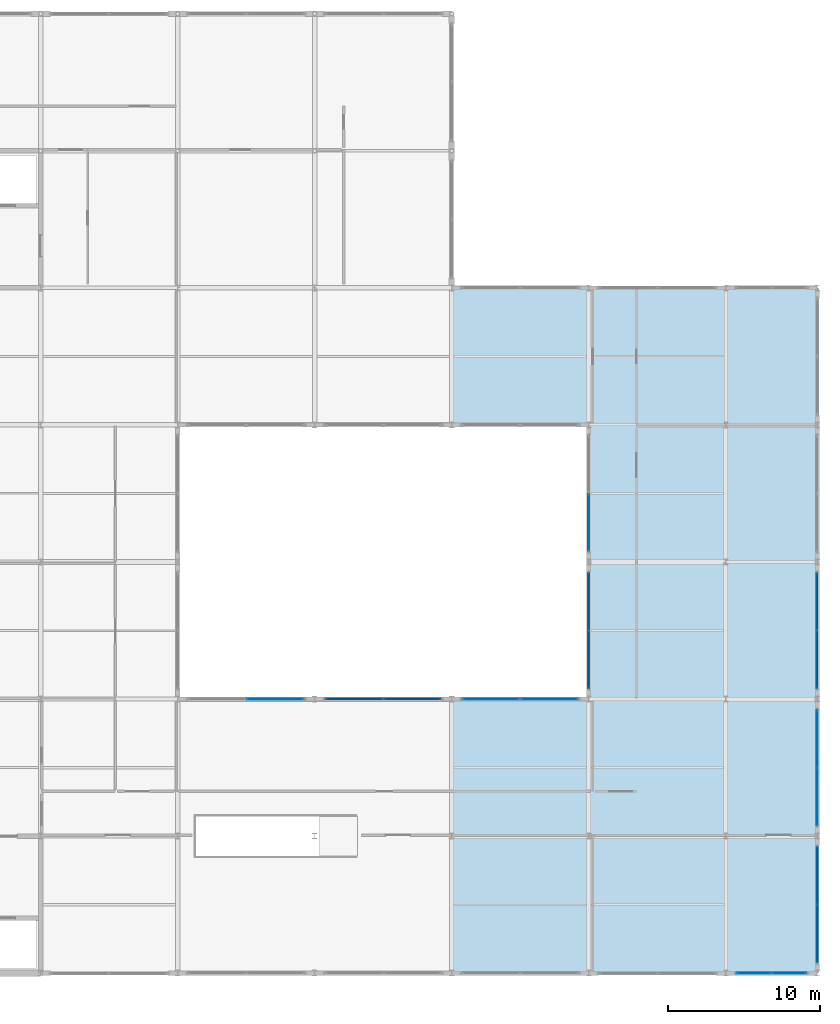
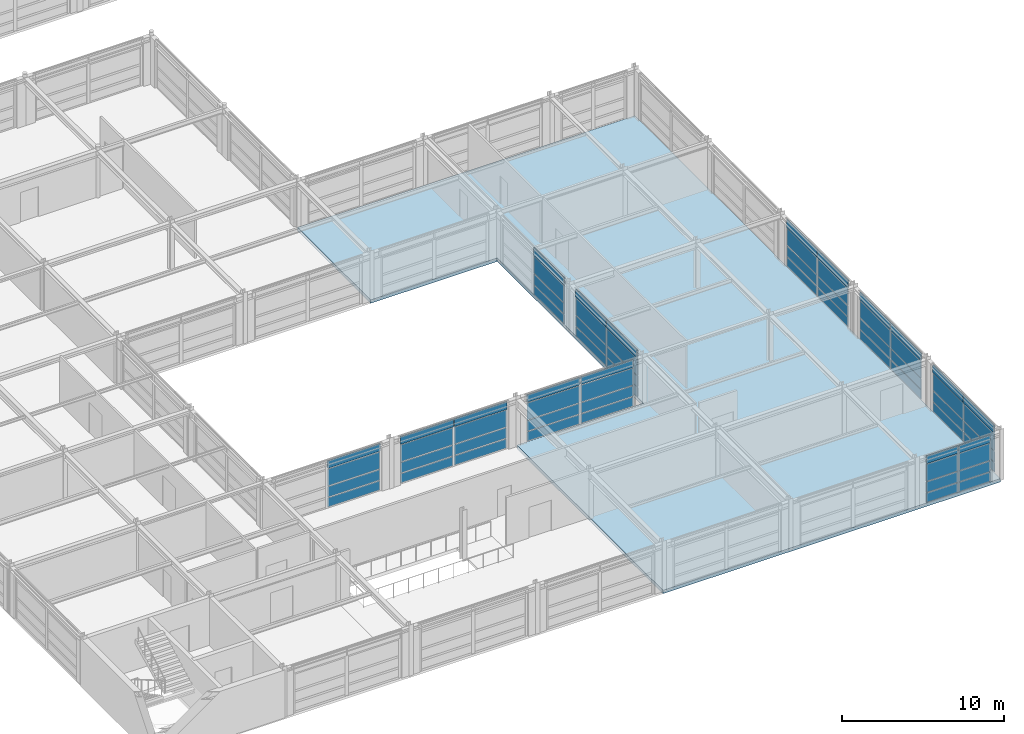
# One storey, part 58 of 79: 64 plates, 1 slab, 9 elements without a shape of their own.
"""IFC4 building model written with IfcOpenShell, lengths in metres."""

from ifc_helpers import new_model, si_unit, direction, frame, origin, origin_2d, place, context, subcontext, project, spatial, polyline, rectangle, outline, extrude, material, layer, layer_set, type_object, element, aggregate, save


model = new_model("IFC4")

# Units and contexts
model_context = context("Model", 3, precision=1e-05, world=origin(), true_north=direction((0.0, 1.0)))
body_context = subcontext(model_context, "Body", "Model", "MODEL_VIEW")
ifc_project = project(units=[si_unit("LENGTHUNIT", "METRE"), si_unit("AREAUNIT", "SQUARE_METRE"), si_unit("VOLUMEUNIT", "CUBIC_METRE"), si_unit("PLANEANGLEUNIT", "RADIAN"), si_unit("MASSUNIT", "GRAM", prefix="KILO")], contexts=[model_context])

# Site, building, storey
site_placement = place(None, origin())
site = spatial("IfcSite", under=ifc_project, at=site_placement, CompositionType="ELEMENT")
building_placement = place(site_placement, origin())
building = spatial("IfcBuilding", under=site, at=building_placement, Name="Palais des Congres Ocreval", CompositionType="ELEMENT")
storey_placement = place(building_placement, frame((0.0, 0.0, 4.320068359375)))
storey = spatial("IfcBuildingStorey", under=building, at=storey_placement, Name="L01", CompositionType="ELEMENT", Elevation=4.320068359375)

# Curtain wall, plates
ifc_material_1 = material(Name="Anodized bronze aluminium and low-E glass", Category="glass")
curtain_wall_type_1 = type_object("IfcCurtainWallType", Name="Unitised Curtain Wall 7900x3660", PredefinedType="USERDEFINED", material=ifc_material_1)
curtain_wall_1_placement = place(storey_placement, origin())
curtain_wall_1 = element("IfcCurtainWall", 1, at=curtain_wall_1_placement, inside=storey, type_object=curtain_wall_type_1, Name="Unitised Curtain Wall CW02 L01", ObjectType="UNITISED CURTAIN WALL", PredefinedType="USERDEFINED")
ifc_material_2 = material(Name="Acoustic triple glazing", Category="glass")
ifc_layer_1 = layer(ifc_material_2, 0.0439453125)
ifc_layer_set_1 = layer_set([ifc_layer_1], Name="Acoustic Laminated Glazing Panel 44 (Acoustic triple glazing)")
plate_type_1 = type_object("IfcPlateType", Name="Acoustic Laminated Glazing Panel 44", PredefinedType="CURTAIN_PANEL", material=ifc_layer_set_1)
plate_1_placement = place(storey_placement, frame((168.0, 6.40625, 0.06005859375), z_axis=(0.0, 0.0, 1.0), x_axis=(0.0, -1.0, 0.0)))
plate_1 = element("IfcPlate", 2, at=plate_1_placement, type_object=plate_type_1, Name="Vision Glazing Panel VP02", PredefinedType="CURTAIN_PANEL", context=body_context, shape_type="SweptSolid", body=[
    extrude(rectangle(XDim=3.737548828125, YDim=0.0439453125, at=origin_2d()), origin(), (0.0, 0.0, 1.0), 0.68994140625),
])
plate_2_placement = place(storey_placement, frame((168.0, 6.40625, 0.81005859375), z_axis=(0.0, 0.0, 1.0), x_axis=(0.0, -1.0, 0.0)))
plate_2 = element("IfcPlate", 3, at=plate_2_placement, type_object=plate_type_1, Name="Vision Glazing Panel VP02", PredefinedType="CURTAIN_PANEL", context=body_context, shape_type="SweptSolid", body=[
    extrude(rectangle(XDim=3.737548828125, YDim=0.0439453125, at=origin_2d()), origin(), (0.0, 0.0, 1.0), 0.782470703125),
])
plate_3_placement = place(storey_placement, frame((168.0, 6.40625, 1.65234375), z_axis=(0.0, 0.0, 1.0), x_axis=(0.0, -1.0, 0.0)))
plate_3 = element("IfcPlate", 4, at=plate_3_placement, type_object=plate_type_1, Name="Vision Glazing Panel VP02", PredefinedType="CURTAIN_PANEL", context=body_context, shape_type="SweptSolid", body=[
    extrude(rectangle(XDim=3.737548828125, YDim=0.0439453125, at=origin_2d()), origin(), (0.0, 0.0, 1.0), 1.267578125),
])
plate_4_placement = place(storey_placement, frame((168.0, 2.59375, 0.06005859375), z_axis=(0.0, 0.0, 1.0), x_axis=(0.0, -1.0, 0.0)))
plate_4 = element("IfcPlate", 5, at=plate_4_placement, type_object=plate_type_1, Name="Vision Glazing Panel VP02", PredefinedType="CURTAIN_PANEL", context=body_context, shape_type="SweptSolid", body=[
    extrude(rectangle(XDim=3.737548828125, YDim=0.0439453125, at=origin_2d()), origin(), (0.0, 0.0, 1.0), 0.68994140625),
])
plate_5_placement = place(storey_placement, frame((168.0, 2.59375, 0.81005859375), z_axis=(0.0, 0.0, 1.0), x_axis=(0.0, -1.0, 0.0)))
plate_5 = element("IfcPlate", 6, at=plate_5_placement, type_object=plate_type_1, Name="Vision Glazing Panel VP02", PredefinedType="CURTAIN_PANEL", context=body_context, shape_type="SweptSolid", body=[
    extrude(rectangle(XDim=3.737548828125, YDim=0.0439453125, at=origin_2d()), origin(), (0.0, 0.0, 1.0), 0.782470703125),
])
plate_6_placement = place(storey_placement, frame((168.0, 2.59375, 1.65234375), z_axis=(0.0, 0.0, 1.0), x_axis=(0.0, -1.0, 0.0)))
plate_6 = element("IfcPlate", 7, at=plate_6_placement, type_object=plate_type_1, Name="Vision Glazing Panel VP02", PredefinedType="CURTAIN_PANEL", context=body_context, shape_type="SweptSolid", body=[
    extrude(rectangle(XDim=3.737548828125, YDim=0.0439453125, at=origin_2d()), origin(), (0.0, 0.0, 1.0), 1.267578125),
])

curtain_wall_2_placement = place(storey_placement, origin())
curtain_wall_2 = element("IfcCurtainWall", 8, at=curtain_wall_2_placement, inside=storey, type_object=curtain_wall_type_1, Name="Unitised Curtain Wall CW02 L01", ObjectType="UNITISED CURTAIN WALL", PredefinedType="USERDEFINED")
plate_7_placement = place(storey_placement, frame((153.0, 20.59375, 0.06005859375), z_axis=(0.0, 0.0, 1.0), x_axis=(0.0, 1.0, 0.0)))
plate_7 = element("IfcPlate", 9, at=plate_7_placement, type_object=plate_type_1, Name="Vision Glazing Panel VP02", PredefinedType="CURTAIN_PANEL", context=body_context, shape_type="SweptSolid", body=[
    extrude(rectangle(XDim=3.737548828125, YDim=0.0439453125, at=origin_2d()), origin(), (0.0, 0.0, 1.0), 0.68994140625),
])
plate_8_placement = place(storey_placement, frame((153.0, 20.59375, 0.81005859375), z_axis=(0.0, 0.0, 1.0), x_axis=(0.0, 1.0, 0.0)))
plate_8 = element("IfcPlate", 10, at=plate_8_placement, type_object=plate_type_1, Name="Vision Glazing Panel VP02", PredefinedType="CURTAIN_PANEL", context=body_context, shape_type="SweptSolid", body=[
    extrude(rectangle(XDim=3.737548828125, YDim=0.0439453125, at=origin_2d()), origin(), (0.0, 0.0, 1.0), 0.782470703125),
])
plate_9_placement = place(storey_placement, frame((153.0, 20.59375, 1.65234375), z_axis=(0.0, 0.0, 1.0), x_axis=(0.0, 1.0, 0.0)))
plate_9 = element("IfcPlate", 11, at=plate_9_placement, type_object=plate_type_1, Name="Vision Glazing Panel VP02", PredefinedType="CURTAIN_PANEL", context=body_context, shape_type="SweptSolid", body=[
    extrude(rectangle(XDim=3.737548828125, YDim=0.0439453125, at=origin_2d()), origin(), (0.0, 0.0, 1.0), 1.267578125),
])
plate_10_placement = place(storey_placement, frame((153.0, 24.40625, 0.06005859375), z_axis=(0.0, 0.0, 1.0), x_axis=(0.0, 1.0, 0.0)))
plate_10 = element("IfcPlate", 12, at=plate_10_placement, type_object=plate_type_1, Name="Vision Glazing Panel VP02", PredefinedType="CURTAIN_PANEL", context=body_context, shape_type="SweptSolid", body=[
    extrude(rectangle(XDim=3.737548828125, YDim=0.0439453125, at=origin_2d()), origin(), (0.0, 0.0, 1.0), 0.68994140625),
])
plate_11_placement = place(storey_placement, frame((153.0, 24.40625, 0.81005859375), z_axis=(0.0, 0.0, 1.0), x_axis=(0.0, 1.0, 0.0)))
plate_11 = element("IfcPlate", 13, at=plate_11_placement, type_object=plate_type_1, Name="Vision Glazing Panel VP02", PredefinedType="CURTAIN_PANEL", context=body_context, shape_type="SweptSolid", body=[
    extrude(rectangle(XDim=3.737548828125, YDim=0.0439453125, at=origin_2d()), origin(), (0.0, 0.0, 1.0), 0.782470703125),
])
plate_12_placement = place(storey_placement, frame((153.0, 24.40625, 1.65234375), z_axis=(0.0, 0.0, 1.0), x_axis=(0.0, 1.0, 0.0)))
plate_12 = element("IfcPlate", 14, at=plate_12_placement, type_object=plate_type_1, Name="Vision Glazing Panel VP02", PredefinedType="CURTAIN_PANEL", context=body_context, shape_type="SweptSolid", body=[
    extrude(rectangle(XDim=3.737548828125, YDim=0.0439453125, at=origin_2d()), origin(), (0.0, 0.0, 1.0), 1.267578125),
])

curtain_wall_3_placement = place(storey_placement, origin())
curtain_wall_3 = element("IfcCurtainWall", 15, at=curtain_wall_3_placement, inside=storey, type_object=curtain_wall_type_1, Name="Unitised Curtain Wall CW02 L01", ObjectType="UNITISED CURTAIN WALL", PredefinedType="USERDEFINED")
plate_13_placement = place(storey_placement, frame((146.59375, 18.0, 0.06005859375), z_axis=(0.0, 0.0, 1.0), x_axis=(1.0, 0.0, 0.0)))
plate_13 = element("IfcPlate", 16, at=plate_13_placement, type_object=plate_type_1, Name="Vision Glazing Panel VP02", PredefinedType="CURTAIN_PANEL", context=body_context, shape_type="SweptSolid", body=[
    extrude(rectangle(XDim=3.737548828125, YDim=0.0439453125, at=origin_2d()), origin(), (0.0, 0.0, 1.0), 0.68994140625),
])
plate_14_placement = place(storey_placement, frame((146.59375, 18.0, 0.81005859375), z_axis=(0.0, 0.0, 1.0), x_axis=(1.0, 0.0, 0.0)))
plate_14 = element("IfcPlate", 17, at=plate_14_placement, type_object=plate_type_1, Name="Vision Glazing Panel VP02", PredefinedType="CURTAIN_PANEL", context=body_context, shape_type="SweptSolid", body=[
    extrude(rectangle(XDim=3.737548828125, YDim=0.0439453125, at=origin_2d()), origin(), (0.0, 0.0, 1.0), 0.782470703125),
])
plate_15_placement = place(storey_placement, frame((146.59375, 18.0, 1.65234375), z_axis=(0.0, 0.0, 1.0), x_axis=(1.0, 0.0, 0.0)))
plate_15 = element("IfcPlate", 18, at=plate_15_placement, type_object=plate_type_1, Name="Vision Glazing Panel VP02", PredefinedType="CURTAIN_PANEL", context=body_context, shape_type="SweptSolid", body=[
    extrude(rectangle(XDim=3.737548828125, YDim=0.0439453125, at=origin_2d()), origin(), (0.0, 0.0, 1.0), 1.267578125),
])
plate_16_placement = place(storey_placement, frame((150.40625, 18.0, 0.06005859375), z_axis=(0.0, 0.0, 1.0), x_axis=(1.0, 0.0, 0.0)))
plate_16 = element("IfcPlate", 19, at=plate_16_placement, type_object=plate_type_1, Name="Vision Glazing Panel VP02", PredefinedType="CURTAIN_PANEL", context=body_context, shape_type="SweptSolid", body=[
    extrude(rectangle(XDim=3.737548828125, YDim=0.0439453125, at=origin_2d()), origin(), (0.0, 0.0, 1.0), 0.68994140625),
])
plate_17_placement = place(storey_placement, frame((150.40625, 18.0, 0.81005859375), z_axis=(0.0, 0.0, 1.0), x_axis=(1.0, 0.0, 0.0)))
plate_17 = element("IfcPlate", 20, at=plate_17_placement, type_object=plate_type_1, Name="Vision Glazing Panel VP02", PredefinedType="CURTAIN_PANEL", context=body_context, shape_type="SweptSolid", body=[
    extrude(rectangle(XDim=3.737548828125, YDim=0.0439453125, at=origin_2d()), origin(), (0.0, 0.0, 1.0), 0.782470703125),
])
plate_18_placement = place(storey_placement, frame((150.40625, 18.0, 1.65234375), z_axis=(0.0, 0.0, 1.0), x_axis=(1.0, 0.0, 0.0)))
plate_18 = element("IfcPlate", 21, at=plate_18_placement, type_object=plate_type_1, Name="Vision Glazing Panel VP02", PredefinedType="CURTAIN_PANEL", context=body_context, shape_type="SweptSolid", body=[
    extrude(rectangle(XDim=3.737548828125, YDim=0.0439453125, at=origin_2d()), origin(), (0.0, 0.0, 1.0), 1.267578125),
])

curtain_wall_4_placement = place(storey_placement, origin())
curtain_wall_4 = element("IfcCurtainWall", 22, at=curtain_wall_4_placement, inside=storey, type_object=curtain_wall_type_1, Name="Unitised Curtain Wall CW02 L01", ObjectType="UNITISED CURTAIN WALL", PredefinedType="USERDEFINED")
ifc_material_3 = material(Name="Anodized bronze aluminium", Category="aluminium")
ifc_layer_2 = layer(ifc_material_3, 0.06005859375)
ifc_layer_set_2 = layer_set([ifc_layer_2], Name="Anodized Bronze Spandrel Cassette 60 (Anodized bronze aluminium)")
plate_type_2 = type_object("IfcPlateType", Name="Anodized Bronze Spandrel Cassette 60", PredefinedType="SHEET", material=ifc_layer_set_2)
plate_19_placement = place(storey_placement, frame((168.0, 15.40625, 2.97998046875), z_axis=(0.0, 0.0, 1.0), x_axis=(0.0, -1.0, 0.0)))
plate_19 = element("IfcPlate", 23, at=plate_19_placement, type_object=plate_type_2, Name="Spandrel Sheet SPN1", PredefinedType="SHEET", context=body_context, shape_type="SweptSolid", body=[
    extrude(rectangle(XDim=3.737548828125, YDim=0.06005859375, at=origin_2d()), origin(), (0.0, 0.0, 1.0), 0.56005859375),
])
plate_20_placement = place(storey_placement, frame((168.0, 11.59375, 2.97998046875), z_axis=(0.0, 0.0, 1.0), x_axis=(0.0, -1.0, 0.0)))
plate_20 = element("IfcPlate", 24, at=plate_20_placement, type_object=plate_type_2, Name="Spandrel Sheet SPN1", PredefinedType="SHEET", context=body_context, shape_type="SweptSolid", body=[
    extrude(rectangle(XDim=3.737548828125, YDim=0.06005859375, at=origin_2d()), origin(), (0.0, 0.0, 1.0), 0.56005859375),
])

curtain_wall_type_2 = type_object("IfcCurtainWallType", Name="Unitised Curtain Wall 4900x4060", PredefinedType="USERDEFINED", material=ifc_material_1)
curtain_wall_5_placement = place(storey_placement, origin())
curtain_wall_5 = element("IfcCurtainWall", 25, at=curtain_wall_5_placement, inside=storey, type_object=curtain_wall_type_2, Name="Unitised Curtain Wall CW07 L01", ObjectType="UNITISED CURTAIN WALL", PredefinedType="USERDEFINED")
plate_21_placement = place(storey_placement, frame((166.15625, 0.0, 2.97998046875), z_axis=(0.0, 0.0, 1.0), x_axis=(-1.0, 0.0, 0.0)))
plate_21 = element("IfcPlate", 26, at=plate_21_placement, type_object=plate_type_2, Name="Spandrel Sheet SPN1", PredefinedType="SHEET", context=body_context, shape_type="SweptSolid", body=[
    extrude(rectangle(XDim=2.237548828125, YDim=0.06005859375, at=origin_2d()), origin(), (0.0, 0.0, 1.0), 0.56005859375),
])
plate_22_placement = place(storey_placement, frame((163.84375, 0.0, 2.97998046875), z_axis=(0.0, 0.0, 1.0), x_axis=(-1.0, 0.0, 0.0)))
plate_22 = element("IfcPlate", 27, at=plate_22_placement, type_object=plate_type_2, Name="Spandrel Sheet SPN1", PredefinedType="SHEET", context=body_context, shape_type="SweptSolid", body=[
    extrude(rectangle(XDim=2.237548828125, YDim=0.06005859375, at=origin_2d()), origin(), (0.0, 0.0, 1.0), 0.56005859375),
])

# Curtain wall, plate
curtain_wall_6_placement = place(storey_placement, origin())
curtain_wall_6 = element("IfcCurtainWall", 28, at=curtain_wall_6_placement, inside=storey, type_object=curtain_wall_type_1, Name="Unitised Curtain Wall CW02 L01", ObjectType="UNITISED CURTAIN WALL", PredefinedType="USERDEFINED")
plate_23_placement = place(storey_placement, frame((153.0, 29.59375, 2.97998046875), z_axis=(0.0, 0.0, 1.0), x_axis=(0.0, 1.0, 0.0)))
plate_23 = element("IfcPlate", 29, at=plate_23_placement, type_object=plate_type_2, Name="Spandrel Sheet SPN1", PredefinedType="SHEET", context=body_context, shape_type="SweptSolid", body=[
    extrude(rectangle(XDim=3.737548828125, YDim=0.06005859375, at=origin_2d()), origin(), (0.0, 0.0, 1.0), 0.56005859375),
])

curtain_wall_7_placement = place(storey_placement, origin())
curtain_wall_7 = element("IfcCurtainWall", 30, at=curtain_wall_7_placement, inside=storey, type_object=curtain_wall_type_1, Name="Unitised Curtain Wall CW02 L01", ObjectType="UNITISED CURTAIN WALL", PredefinedType="USERDEFINED")
plate_24_placement = place(storey_placement, frame((132.40625, 18.0, 2.97998046875), z_axis=(0.0, 0.0, 1.0), x_axis=(1.0, 0.0, 0.0)))
plate_24 = element("IfcPlate", 31, at=plate_24_placement, type_object=plate_type_2, Name="Spandrel Sheet SPN1", PredefinedType="SHEET", context=body_context, shape_type="SweptSolid", body=[
    extrude(rectangle(XDim=3.737548828125, YDim=0.06005859375, at=origin_2d()), origin(), (0.0, 0.0, 1.0), 0.56005859375),
])

# Plate
plate_25_placement = place(storey_placement, frame((146.59375, 18.0, 2.97998046875), z_axis=(0.0, 0.0, 1.0), x_axis=(1.0, 0.0, 0.0)))
plate_25 = element("IfcPlate", 32, at=plate_25_placement, type_object=plate_type_2, Name="Spandrel Sheet SPN1", PredefinedType="SHEET", context=body_context, shape_type="SweptSolid", body=[
    extrude(rectangle(XDim=3.737548828125, YDim=0.06005859375, at=origin_2d()), origin(), (0.0, 0.0, 1.0), 0.56005859375),
])

plate_26_placement = place(storey_placement, frame((150.40625, 18.0, 2.97998046875), z_axis=(0.0, 0.0, 1.0), x_axis=(1.0, 0.0, 0.0)))
plate_26 = element("IfcPlate", 33, at=plate_26_placement, type_object=plate_type_2, Name="Spandrel Sheet SPN1", PredefinedType="SHEET", context=body_context, shape_type="SweptSolid", body=[
    extrude(rectangle(XDim=3.737548828125, YDim=0.06005859375, at=origin_2d()), origin(), (0.0, 0.0, 1.0), 0.56005859375),
])

aggregate(curtain_wall_3, [plate_13, plate_14, plate_15, plate_25, plate_16, plate_17, plate_18, plate_26])

# Slab
ifc_material_4 = material(Name="Concrete C35/45", Category="concrete")
ifc_layer_3 = layer(ifc_material_4, 0.2548828125)
ifc_layer_set_3 = layer_set([ifc_layer_3], Name="Composite Floor Deck 255 Concrete C35/45")
slab_type = type_object("IfcSlabType", Name="Composite Floor Deck 255 Concrete C35/45", PredefinedType="FLOOR", material=ifc_layer_set_3)
slab_placement = place(storey_placement, frame((0.0, 0.0, -0.255126953125)))
element("IfcSlab", 34, at=slab_placement, inside=storey, type_object=slab_type, Name="Floor Slab SL13 L01 V3-4", PredefinedType="FLOOR", context=body_context, shape_type="SweptSolid", body=[
    extrude(outline(polyline([(153.0, 45.0), (168.0, 45.0), (168.0, 18.0), (168.0, 0.0), (144.0, 0.0), (144.0, 18.0), (153.0, 18.0), (153.0, 36.0), (144.0, 36.0), (144.0, 45.0), (153.0, 45.0)])), origin(), (0.0, 0.0, 1.0), 0.255126953125),
])

# Curtain wall, plates
curtain_wall_8_placement = place(storey_placement, origin())
curtain_wall_8 = element("IfcCurtainWall", 35, at=curtain_wall_8_placement, inside=storey, type_object=curtain_wall_type_1, Name="Unitised Curtain Wall CW02 L01", ObjectType="UNITISED CURTAIN WALL", PredefinedType="USERDEFINED")
ifc_material_5 = material(Name="Low-E solar-control double glazing", Category="glass")
ifc_layer_4 = layer(ifc_material_5, 0.031982421875)
ifc_layer_set_4 = layer_set([ifc_layer_4], Name="Galleria Clear Vision Panel 32 (Low-E solar-control double glazing)")
plate_type_3 = type_object("IfcPlateType", Name="Galleria Clear Vision Panel 32", PredefinedType="CURTAIN_PANEL", material=ifc_layer_set_4)
plate_27_placement = place(storey_placement, frame((168.0, 24.40625, 0.06005859375), z_axis=(0.0, 0.0, 1.0), x_axis=(0.0, -1.0, 0.0)))
plate_27 = element("IfcPlate", 36, at=plate_27_placement, type_object=plate_type_3, Name="Vision Glazing Panel VP03", PredefinedType="CURTAIN_PANEL", context=body_context, shape_type="SweptSolid", body=[
    extrude(rectangle(XDim=3.737548828125, YDim=0.031982421875, at=origin_2d()), origin(), (0.0, 0.0, 1.0), 0.68994140625),
])
plate_28_placement = place(storey_placement, frame((168.0, 24.40625, 0.81005859375), z_axis=(0.0, 0.0, 1.0), x_axis=(0.0, -1.0, 0.0)))
plate_28 = element("IfcPlate", 37, at=plate_28_placement, type_object=plate_type_3, Name="Vision Glazing Panel VP03", PredefinedType="CURTAIN_PANEL", context=body_context, shape_type="SweptSolid", body=[
    extrude(rectangle(XDim=3.737548828125, YDim=0.031982421875, at=origin_2d()), origin(), (0.0, 0.0, 1.0), 0.782470703125),
])
plate_29_placement = place(storey_placement, frame((168.0, 24.40625, 1.65234375), z_axis=(0.0, 0.0, 1.0), x_axis=(0.0, -1.0, 0.0)))
plate_29 = element("IfcPlate", 38, at=plate_29_placement, type_object=plate_type_3, Name="Vision Glazing Panel VP03", PredefinedType="CURTAIN_PANEL", context=body_context, shape_type="SweptSolid", body=[
    extrude(rectangle(XDim=3.737548828125, YDim=0.031982421875, at=origin_2d()), origin(), (0.0, 0.0, 1.0), 1.267578125),
])
plate_30_placement = place(storey_placement, frame((168.0, 20.59375, 0.06005859375), z_axis=(0.0, 0.0, 1.0), x_axis=(0.0, -1.0, 0.0)))
plate_30 = element("IfcPlate", 39, at=plate_30_placement, type_object=plate_type_3, Name="Vision Glazing Panel VP03", PredefinedType="CURTAIN_PANEL", context=body_context, shape_type="SweptSolid", body=[
    extrude(rectangle(XDim=3.737548828125, YDim=0.031982421875, at=origin_2d()), origin(), (0.0, 0.0, 1.0), 0.68994140625),
])
plate_31_placement = place(storey_placement, frame((168.0, 20.59375, 0.81005859375), z_axis=(0.0, 0.0, 1.0), x_axis=(0.0, -1.0, 0.0)))
plate_31 = element("IfcPlate", 40, at=plate_31_placement, type_object=plate_type_3, Name="Vision Glazing Panel VP03", PredefinedType="CURTAIN_PANEL", context=body_context, shape_type="SweptSolid", body=[
    extrude(rectangle(XDim=3.737548828125, YDim=0.031982421875, at=origin_2d()), origin(), (0.0, 0.0, 1.0), 0.782470703125),
])
plate_32_placement = place(storey_placement, frame((168.0, 20.59375, 1.65234375), z_axis=(0.0, 0.0, 1.0), x_axis=(0.0, -1.0, 0.0)))
plate_32 = element("IfcPlate", 41, at=plate_32_placement, type_object=plate_type_3, Name="Vision Glazing Panel VP03", PredefinedType="CURTAIN_PANEL", context=body_context, shape_type="SweptSolid", body=[
    extrude(rectangle(XDim=3.737548828125, YDim=0.031982421875, at=origin_2d()), origin(), (0.0, 0.0, 1.0), 1.267578125),
])

# Plate
plate_33_placement = place(storey_placement, frame((166.15625, 0.0, 0.06005859375), z_axis=(0.0, 0.0, 1.0), x_axis=(-1.0, 0.0, 0.0)))
plate_33 = element("IfcPlate", 42, at=plate_33_placement, type_object=plate_type_3, Name="Vision Glazing Panel VP03", PredefinedType="CURTAIN_PANEL", context=body_context, shape_type="SweptSolid", body=[
    extrude(rectangle(XDim=2.237548828125, YDim=0.031982421875, at=origin_2d()), origin(), (0.0, 0.0, 1.0), 0.68994140625),
])

plate_34_placement = place(storey_placement, frame((166.15625, 0.0, 0.81005859375), z_axis=(0.0, 0.0, 1.0), x_axis=(-1.0, 0.0, 0.0)))
plate_34 = element("IfcPlate", 43, at=plate_34_placement, type_object=plate_type_3, Name="Vision Glazing Panel VP03", PredefinedType="CURTAIN_PANEL", context=body_context, shape_type="SweptSolid", body=[
    extrude(rectangle(XDim=2.237548828125, YDim=0.031982421875, at=origin_2d()), origin(), (0.0, 0.0, 1.0), 0.782470703125),
])

plate_35_placement = place(storey_placement, frame((166.15625, 0.0, 1.65234375), z_axis=(0.0, 0.0, 1.0), x_axis=(-1.0, 0.0, 0.0)))
plate_35 = element("IfcPlate", 44, at=plate_35_placement, type_object=plate_type_3, Name="Vision Glazing Panel VP03", PredefinedType="CURTAIN_PANEL", context=body_context, shape_type="SweptSolid", body=[
    extrude(rectangle(XDim=2.237548828125, YDim=0.031982421875, at=origin_2d()), origin(), (0.0, 0.0, 1.0), 1.267578125),
])

plate_36_placement = place(storey_placement, frame((163.84375, 0.0, 0.06005859375), z_axis=(0.0, 0.0, 1.0), x_axis=(-1.0, 0.0, 0.0)))
plate_36 = element("IfcPlate", 45, at=plate_36_placement, type_object=plate_type_3, Name="Vision Glazing Panel VP03", PredefinedType="CURTAIN_PANEL", context=body_context, shape_type="SweptSolid", body=[
    extrude(rectangle(XDim=2.237548828125, YDim=0.031982421875, at=origin_2d()), origin(), (0.0, 0.0, 1.0), 0.68994140625),
])

plate_37_placement = place(storey_placement, frame((163.84375, 0.0, 0.81005859375), z_axis=(0.0, 0.0, 1.0), x_axis=(-1.0, 0.0, 0.0)))
plate_37 = element("IfcPlate", 46, at=plate_37_placement, type_object=plate_type_3, Name="Vision Glazing Panel VP03", PredefinedType="CURTAIN_PANEL", context=body_context, shape_type="SweptSolid", body=[
    extrude(rectangle(XDim=2.237548828125, YDim=0.031982421875, at=origin_2d()), origin(), (0.0, 0.0, 1.0), 0.782470703125),
])

plate_38_placement = place(storey_placement, frame((163.84375, 0.0, 1.65234375), z_axis=(0.0, 0.0, 1.0), x_axis=(-1.0, 0.0, 0.0)))
plate_38 = element("IfcPlate", 47, at=plate_38_placement, type_object=plate_type_3, Name="Vision Glazing Panel VP03", PredefinedType="CURTAIN_PANEL", context=body_context, shape_type="SweptSolid", body=[
    extrude(rectangle(XDim=2.237548828125, YDim=0.031982421875, at=origin_2d()), origin(), (0.0, 0.0, 1.0), 1.267578125),
])

aggregate(curtain_wall_5, [plate_33, plate_34, plate_35, plate_21, plate_36, plate_37, plate_38, plate_22])

plate_39_placement = place(storey_placement, frame((153.0, 29.59375, 0.06005859375), z_axis=(0.0, 0.0, 1.0), x_axis=(0.0, 1.0, 0.0)))
plate_39 = element("IfcPlate", 48, at=plate_39_placement, type_object=plate_type_3, Name="Vision Glazing Panel VP03", PredefinedType="CURTAIN_PANEL", context=body_context, shape_type="SweptSolid", body=[
    extrude(rectangle(XDim=3.737548828125, YDim=0.031982421875, at=origin_2d()), origin(), (0.0, 0.0, 1.0), 0.68994140625),
])

plate_40_placement = place(storey_placement, frame((153.0, 29.59375, 0.81005859375), z_axis=(0.0, 0.0, 1.0), x_axis=(0.0, 1.0, 0.0)))
plate_40 = element("IfcPlate", 49, at=plate_40_placement, type_object=plate_type_3, Name="Vision Glazing Panel VP03", PredefinedType="CURTAIN_PANEL", context=body_context, shape_type="SweptSolid", body=[
    extrude(rectangle(XDim=3.737548828125, YDim=0.031982421875, at=origin_2d()), origin(), (0.0, 0.0, 1.0), 0.782470703125),
])

plate_41_placement = place(storey_placement, frame((153.0, 29.59375, 1.65234375), z_axis=(0.0, 0.0, 1.0), x_axis=(0.0, 1.0, 0.0)))
plate_41 = element("IfcPlate", 50, at=plate_41_placement, type_object=plate_type_3, Name="Vision Glazing Panel VP03", PredefinedType="CURTAIN_PANEL", context=body_context, shape_type="SweptSolid", body=[
    extrude(rectangle(XDim=3.737548828125, YDim=0.031982421875, at=origin_2d()), origin(), (0.0, 0.0, 1.0), 1.267578125),
])

aggregate(curtain_wall_6, [plate_39, plate_40, plate_41, plate_23])

plate_42_placement = place(storey_placement, frame((132.40625, 18.0, 0.06005859375), z_axis=(0.0, 0.0, 1.0), x_axis=(1.0, 0.0, 0.0)))
plate_42 = element("IfcPlate", 51, at=plate_42_placement, type_object=plate_type_3, Name="Vision Glazing Panel VP03", PredefinedType="CURTAIN_PANEL", context=body_context, shape_type="SweptSolid", body=[
    extrude(rectangle(XDim=3.737548828125, YDim=0.031982421875, at=origin_2d()), origin(), (0.0, 0.0, 1.0), 0.68994140625),
])

plate_43_placement = place(storey_placement, frame((132.40625, 18.0, 0.81005859375), z_axis=(0.0, 0.0, 1.0), x_axis=(1.0, 0.0, 0.0)))
plate_43 = element("IfcPlate", 52, at=plate_43_placement, type_object=plate_type_3, Name="Vision Glazing Panel VP03", PredefinedType="CURTAIN_PANEL", context=body_context, shape_type="SweptSolid", body=[
    extrude(rectangle(XDim=3.737548828125, YDim=0.031982421875, at=origin_2d()), origin(), (0.0, 0.0, 1.0), 0.782470703125),
])

plate_44_placement = place(storey_placement, frame((132.40625, 18.0, 1.65234375), z_axis=(0.0, 0.0, 1.0), x_axis=(1.0, 0.0, 0.0)))
plate_44 = element("IfcPlate", 53, at=plate_44_placement, type_object=plate_type_3, Name="Vision Glazing Panel VP03", PredefinedType="CURTAIN_PANEL", context=body_context, shape_type="SweptSolid", body=[
    extrude(rectangle(XDim=3.737548828125, YDim=0.031982421875, at=origin_2d()), origin(), (0.0, 0.0, 1.0), 1.267578125),
])

aggregate(curtain_wall_7, [plate_42, plate_43, plate_44, plate_24])

ifc_layer_5 = layer(ifc_material_5, 0.035888671875)
ifc_layer_set_5 = layer_set([ifc_layer_5], Name="Low-E Vision Glazing Panel 36 (Low-E solar-control double glazing)")
plate_type_4 = type_object("IfcPlateType", Name="Low-E Vision Glazing Panel 36", PredefinedType="CURTAIN_PANEL", material=ifc_layer_set_5)
plate_45_placement = place(storey_placement, frame((168.0, 15.40625, 0.06005859375), z_axis=(0.0, 0.0, 1.0), x_axis=(0.0, -1.0, 0.0)))
plate_45 = element("IfcPlate", 54, at=plate_45_placement, type_object=plate_type_4, Name="Vision Glazing Panel VP01", PredefinedType="CURTAIN_PANEL", context=body_context, shape_type="SweptSolid", body=[
    extrude(rectangle(XDim=3.737548828125, YDim=0.035888671875, at=origin_2d()), origin(), (0.0, 0.0, 1.0), 0.68994140625),
])

plate_46_placement = place(storey_placement, frame((168.0, 15.40625, 0.81005859375), z_axis=(0.0, 0.0, 1.0), x_axis=(0.0, -1.0, 0.0)))
plate_46 = element("IfcPlate", 55, at=plate_46_placement, type_object=plate_type_4, Name="Vision Glazing Panel VP01", PredefinedType="CURTAIN_PANEL", context=body_context, shape_type="SweptSolid", body=[
    extrude(rectangle(XDim=3.737548828125, YDim=0.035888671875, at=origin_2d()), origin(), (0.0, 0.0, 1.0), 0.782470703125),
])

plate_47_placement = place(storey_placement, frame((168.0, 15.40625, 1.65234375), z_axis=(0.0, 0.0, 1.0), x_axis=(0.0, -1.0, 0.0)))
plate_47 = element("IfcPlate", 56, at=plate_47_placement, type_object=plate_type_4, Name="Vision Glazing Panel VP01", PredefinedType="CURTAIN_PANEL", context=body_context, shape_type="SweptSolid", body=[
    extrude(rectangle(XDim=3.737548828125, YDim=0.035888671875, at=origin_2d()), origin(), (0.0, 0.0, 1.0), 1.267578125),
])

plate_48_placement = place(storey_placement, frame((168.0, 11.59375, 0.06005859375), z_axis=(0.0, 0.0, 1.0), x_axis=(0.0, -1.0, 0.0)))
plate_48 = element("IfcPlate", 57, at=plate_48_placement, type_object=plate_type_4, Name="Vision Glazing Panel VP01", PredefinedType="CURTAIN_PANEL", context=body_context, shape_type="SweptSolid", body=[
    extrude(rectangle(XDim=3.737548828125, YDim=0.035888671875, at=origin_2d()), origin(), (0.0, 0.0, 1.0), 0.68994140625),
])

plate_49_placement = place(storey_placement, frame((168.0, 11.59375, 0.81005859375), z_axis=(0.0, 0.0, 1.0), x_axis=(0.0, -1.0, 0.0)))
plate_49 = element("IfcPlate", 58, at=plate_49_placement, type_object=plate_type_4, Name="Vision Glazing Panel VP01", PredefinedType="CURTAIN_PANEL", context=body_context, shape_type="SweptSolid", body=[
    extrude(rectangle(XDim=3.737548828125, YDim=0.035888671875, at=origin_2d()), origin(), (0.0, 0.0, 1.0), 0.782470703125),
])

plate_50_placement = place(storey_placement, frame((168.0, 11.59375, 1.65234375), z_axis=(0.0, 0.0, 1.0), x_axis=(0.0, -1.0, 0.0)))
plate_50 = element("IfcPlate", 59, at=plate_50_placement, type_object=plate_type_4, Name="Vision Glazing Panel VP01", PredefinedType="CURTAIN_PANEL", context=body_context, shape_type="SweptSolid", body=[
    extrude(rectangle(XDim=3.737548828125, YDim=0.035888671875, at=origin_2d()), origin(), (0.0, 0.0, 1.0), 1.267578125),
])

aggregate(curtain_wall_4, [plate_45, plate_46, plate_47, plate_19, plate_48, plate_49, plate_50, plate_20])

# Curtain wall, plates
curtain_wall_9_placement = place(storey_placement, origin())
curtain_wall_9 = element("IfcCurtainWall", 60, at=curtain_wall_9_placement, inside=storey, type_object=curtain_wall_type_1, Name="Unitised Curtain Wall CW02 L01", ObjectType="UNITISED CURTAIN WALL", PredefinedType="USERDEFINED")
plate_51_placement = place(storey_placement, frame((137.59375, 18.0, 0.06005859375), z_axis=(0.0, 0.0, 1.0), x_axis=(1.0, 0.0, 0.0)))
plate_51 = element("IfcPlate", 61, at=plate_51_placement, type_object=plate_type_4, Name="Vision Glazing Panel VP01", PredefinedType="CURTAIN_PANEL", context=body_context, shape_type="SweptSolid", body=[
    extrude(rectangle(XDim=3.737548828125, YDim=0.035888671875, at=origin_2d()), origin(), (0.0, 0.0, 1.0), 0.68994140625),
])
plate_52_placement = place(storey_placement, frame((137.59375, 18.0, 0.81005859375), z_axis=(0.0, 0.0, 1.0), x_axis=(1.0, 0.0, 0.0)))
plate_52 = element("IfcPlate", 62, at=plate_52_placement, type_object=plate_type_4, Name="Vision Glazing Panel VP01", PredefinedType="CURTAIN_PANEL", context=body_context, shape_type="SweptSolid", body=[
    extrude(rectangle(XDim=3.737548828125, YDim=0.035888671875, at=origin_2d()), origin(), (0.0, 0.0, 1.0), 0.782470703125),
])
plate_53_placement = place(storey_placement, frame((137.59375, 18.0, 1.65234375), z_axis=(0.0, 0.0, 1.0), x_axis=(1.0, 0.0, 0.0)))
plate_53 = element("IfcPlate", 63, at=plate_53_placement, type_object=plate_type_4, Name="Vision Glazing Panel VP01", PredefinedType="CURTAIN_PANEL", context=body_context, shape_type="SweptSolid", body=[
    extrude(rectangle(XDim=3.737548828125, YDim=0.035888671875, at=origin_2d()), origin(), (0.0, 0.0, 1.0), 1.267578125),
])
plate_54_placement = place(storey_placement, frame((141.40625, 18.0, 0.06005859375), z_axis=(0.0, 0.0, 1.0), x_axis=(1.0, 0.0, 0.0)))
plate_54 = element("IfcPlate", 64, at=plate_54_placement, type_object=plate_type_4, Name="Vision Glazing Panel VP01", PredefinedType="CURTAIN_PANEL", context=body_context, shape_type="SweptSolid", body=[
    extrude(rectangle(XDim=3.737548828125, YDim=0.035888671875, at=origin_2d()), origin(), (0.0, 0.0, 1.0), 0.68994140625),
])
plate_55_placement = place(storey_placement, frame((141.40625, 18.0, 0.81005859375), z_axis=(0.0, 0.0, 1.0), x_axis=(1.0, 0.0, 0.0)))
plate_55 = element("IfcPlate", 65, at=plate_55_placement, type_object=plate_type_4, Name="Vision Glazing Panel VP01", PredefinedType="CURTAIN_PANEL", context=body_context, shape_type="SweptSolid", body=[
    extrude(rectangle(XDim=3.737548828125, YDim=0.035888671875, at=origin_2d()), origin(), (0.0, 0.0, 1.0), 0.782470703125),
])
plate_56_placement = place(storey_placement, frame((141.40625, 18.0, 1.65234375), z_axis=(0.0, 0.0, 1.0), x_axis=(1.0, 0.0, 0.0)))
plate_56 = element("IfcPlate", 66, at=plate_56_placement, type_object=plate_type_4, Name="Vision Glazing Panel VP01", PredefinedType="CURTAIN_PANEL", context=body_context, shape_type="SweptSolid", body=[
    extrude(rectangle(XDim=3.737548828125, YDim=0.035888671875, at=origin_2d()), origin(), (0.0, 0.0, 1.0), 1.267578125),
])

# Plate
ifc_material_6 = material(Name="Terracotta ceramic spandrel", Category="masonry")
ifc_layer_6 = layer(ifc_material_6, 0.080078125)
ifc_layer_set_6 = layer_set([ifc_layer_6], Name="Terracotta Insulated Spandrel Sheet 80 (Terracotta ceramic spandrel)")
plate_type_5 = type_object("IfcPlateType", Name="Terracotta Insulated Spandrel Sheet 80", PredefinedType="SHEET", material=ifc_layer_set_6)
plate_57_placement = place(storey_placement, frame((168.0, 24.40625, 2.97998046875), z_axis=(0.0, 0.0, 1.0), x_axis=(0.0, -1.0, 0.0)))
plate_57 = element("IfcPlate", 67, at=plate_57_placement, type_object=plate_type_5, Name="Spandrel Sheet SPN2", PredefinedType="SHEET", context=body_context, shape_type="SweptSolid", body=[
    extrude(rectangle(XDim=3.737548828125, YDim=0.080078125, at=origin_2d()), origin(), (0.0, 0.0, 1.0), 0.56005859375),
])

plate_58_placement = place(storey_placement, frame((168.0, 20.59375, 2.97998046875), z_axis=(0.0, 0.0, 1.0), x_axis=(0.0, -1.0, 0.0)))
plate_58 = element("IfcPlate", 68, at=plate_58_placement, type_object=plate_type_5, Name="Spandrel Sheet SPN2", PredefinedType="SHEET", context=body_context, shape_type="SweptSolid", body=[
    extrude(rectangle(XDim=3.737548828125, YDim=0.080078125, at=origin_2d()), origin(), (0.0, 0.0, 1.0), 0.56005859375),
])

aggregate(curtain_wall_8, [plate_27, plate_28, plate_29, plate_57, plate_30, plate_31, plate_32, plate_58])

plate_59_placement = place(storey_placement, frame((168.0, 6.40625, 2.97998046875), z_axis=(0.0, 0.0, 1.0), x_axis=(0.0, -1.0, 0.0)))
plate_59 = element("IfcPlate", 69, at=plate_59_placement, type_object=plate_type_5, Name="Spandrel Sheet SPN2", PredefinedType="SHEET", context=body_context, shape_type="SweptSolid", body=[
    extrude(rectangle(XDim=3.737548828125, YDim=0.080078125, at=origin_2d()), origin(), (0.0, 0.0, 1.0), 0.56005859375),
])

plate_60_placement = place(storey_placement, frame((168.0, 2.59375, 2.97998046875), z_axis=(0.0, 0.0, 1.0), x_axis=(0.0, -1.0, 0.0)))
plate_60 = element("IfcPlate", 70, at=plate_60_placement, type_object=plate_type_5, Name="Spandrel Sheet SPN2", PredefinedType="SHEET", context=body_context, shape_type="SweptSolid", body=[
    extrude(rectangle(XDim=3.737548828125, YDim=0.080078125, at=origin_2d()), origin(), (0.0, 0.0, 1.0), 0.56005859375),
])

aggregate(curtain_wall_1, [plate_1, plate_2, plate_3, plate_59, plate_4, plate_5, plate_6, plate_60])

plate_61_placement = place(storey_placement, frame((153.0, 20.59375, 2.97998046875), z_axis=(0.0, 0.0, 1.0), x_axis=(0.0, 1.0, 0.0)))
plate_61 = element("IfcPlate", 71, at=plate_61_placement, type_object=plate_type_5, Name="Spandrel Sheet SPN2", PredefinedType="SHEET", context=body_context, shape_type="SweptSolid", body=[
    extrude(rectangle(XDim=3.737548828125, YDim=0.080078125, at=origin_2d()), origin(), (0.0, 0.0, 1.0), 0.56005859375),
])

plate_62_placement = place(storey_placement, frame((153.0, 24.40625, 2.97998046875), z_axis=(0.0, 0.0, 1.0), x_axis=(0.0, 1.0, 0.0)))
plate_62 = element("IfcPlate", 72, at=plate_62_placement, type_object=plate_type_5, Name="Spandrel Sheet SPN2", PredefinedType="SHEET", context=body_context, shape_type="SweptSolid", body=[
    extrude(rectangle(XDim=3.737548828125, YDim=0.080078125, at=origin_2d()), origin(), (0.0, 0.0, 1.0), 0.56005859375),
])

aggregate(curtain_wall_2, [plate_7, plate_8, plate_9, plate_61, plate_10, plate_11, plate_12, plate_62])

plate_63_placement = place(storey_placement, frame((137.59375, 18.0, 2.97998046875), z_axis=(0.0, 0.0, 1.0), x_axis=(1.0, 0.0, 0.0)))
plate_63 = element("IfcPlate", 73, at=plate_63_placement, type_object=plate_type_5, Name="Spandrel Sheet SPN2", PredefinedType="SHEET", context=body_context, shape_type="SweptSolid", body=[
    extrude(rectangle(XDim=3.737548828125, YDim=0.080078125, at=origin_2d()), origin(), (0.0, 0.0, 1.0), 0.56005859375),
])

plate_64_placement = place(storey_placement, frame((141.40625, 18.0, 2.97998046875), z_axis=(0.0, 0.0, 1.0), x_axis=(1.0, 0.0, 0.0)))
plate_64 = element("IfcPlate", 74, at=plate_64_placement, type_object=plate_type_5, Name="Spandrel Sheet SPN2", PredefinedType="SHEET", context=body_context, shape_type="SweptSolid", body=[
    extrude(rectangle(XDim=3.737548828125, YDim=0.080078125, at=origin_2d()), origin(), (0.0, 0.0, 1.0), 0.56005859375),
])

aggregate(curtain_wall_9, [plate_51, plate_52, plate_53, plate_63, plate_54, plate_55, plate_56, plate_64])

save(model, "model.ifc")
